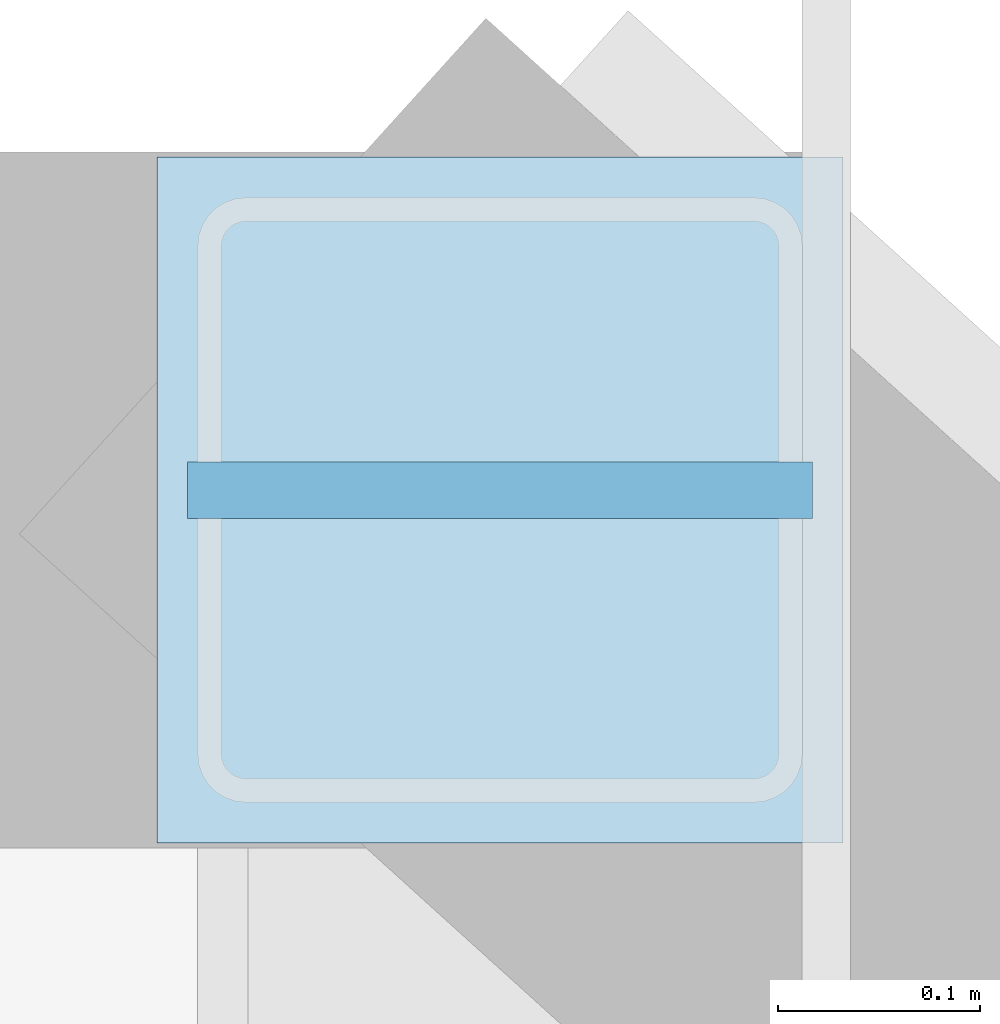
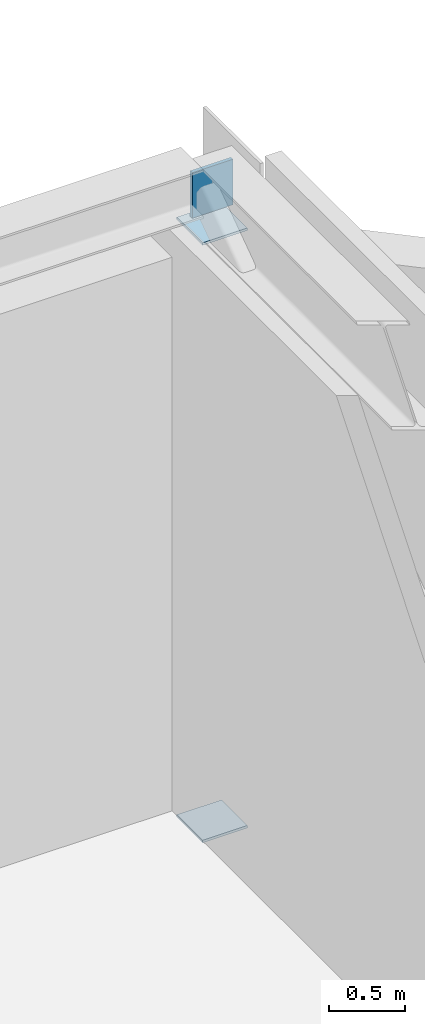
# One storey, part 104 of 135: 3 plates.
"""IFC4 building model written with IfcOpenShell, lengths in metres."""

import ifcopenshell
import ifcopenshell.guid

model = None  # the IFC model being written
_history = None  # IfcOwnerHistory: only IFC2X3 demands one
_inside = {}  # id of a spatial element -> (the spatial element, [elements in it])
_under = {}  # id of a project, library or spatial element -> (it, [spatial elements below it])
_declared = {}  # id of a project -> (the project, [libraries it declares])
_typed = {}  # id of a type object -> (the type object, [elements of that type])
_made_of = {}  # id of a material, layer set ... -> (it, [elements and type objects made of it])


def new_model(schema):
    """Start an empty IFC model of exactly this schema.

    Asked for "IFC4X3", IfcOpenShell would pick the latest addendum, in which some entities
    have other attributes; the version numbers below select the first issue.
    IFC2X3 requires an IfcOwnerHistory on every rooted entity: one is made here for all.
    """
    global model, _history
    if schema == "IFC4X3":
        model = ifcopenshell.file(schema_version=(4, 3, 0, 0))
    else:
        model = ifcopenshell.file(schema=schema)
    _inside.clear()
    _under.clear()
    _declared.clear()
    _typed.clear()
    _made_of.clear()
    _history = None
    if model.schema == "IFC2X3":
        org = make("IfcOrganization", Name="unknown")
        user = make(
            "IfcPersonAndOrganization",
            ThePerson=make("IfcPerson", FamilyName="unknown"),
            TheOrganization=org,
        )
        app = make(
            "IfcApplication",
            ApplicationDeveloper=org,
            Version="unknown",
            ApplicationFullName="unknown",
            ApplicationIdentifier="unknown",
        )
        _history = make(
            "IfcOwnerHistory",
            OwningUser=user,
            OwningApplication=app,
            ChangeAction="ADDED",
            CreationDate=0,
        )
    return model


def make(cls, **values):
    """One entity of the class cls with the attributes given. An attribute that is None is left unset."""
    return model.create_entity(
        cls, **{name: value for name, value in values.items() if value is not None}
    )


def rooted(cls, **values):
    """An entity with a GlobalId (a new one), such as an element, a storey or a relation."""
    return make(cls, GlobalId=ifcopenshell.guid.new(), OwnerHistory=_history, **values)


def si_unit(unit_type, name, prefix=None):
    """IfcSIUnit, for example si_unit("LENGTHUNIT", "METRE", prefix="MILLI")."""
    return make("IfcSIUnit", UnitType=unit_type, Prefix=prefix, Name=name)


def assignment(units):
    """IfcUnitAssignment: the units of a project."""
    return None if units is None else make("IfcUnitAssignment", Units=units)


def point(xyz):
    """IfcCartesianPoint."""
    return None if xyz is None else make("IfcCartesianPoint", Coordinates=xyz)


def direction(xyz):
    """IfcDirection."""
    return None if xyz is None else make("IfcDirection", DirectionRatios=xyz)


def frame(location, z_axis=None, x_axis=None):
    """IfcAxis2Placement3D, a coordinate frame: its origin and axes. An axis left out is left unset."""
    return make(
        "IfcAxis2Placement3D",
        Location=point(location),
        Axis=direction(z_axis),
        RefDirection=direction(x_axis),
    )


def frame_2d(location, x_axis=None):
    """IfcAxis2Placement2D, a coordinate frame in the plane: its origin and x axis."""
    return make(
        "IfcAxis2Placement2D", Location=point(location), RefDirection=direction(x_axis)
    )


def origin():
    """The frame at (0, 0, 0) with its axes left unset."""
    return frame((0.0, 0.0, 0.0))


def origin_2d():
    """The frame at (0, 0) in the plane with its x axis left unset."""
    return frame_2d((0.0, 0.0))


def place(relative_to, where):
    """IfcLocalPlacement: puts the frame where relative to a parent placement (None: the world)."""
    return make(
        "IfcLocalPlacement", PlacementRelTo=relative_to, RelativePlacement=where
    )


def context(
    kind, dimensions, precision=None, world=None, true_north=None, identifier=None
):
    """IfcGeometricRepresentationContext, for example the 3D "Model" context."""
    return make(
        "IfcGeometricRepresentationContext",
        ContextIdentifier=identifier,
        ContextType=kind,
        CoordinateSpaceDimension=dimensions,
        Precision=precision,
        WorldCoordinateSystem=world,
        TrueNorth=true_north,
    )


def subcontext(parent, identifier, kind, view, scale=None):
    """IfcGeometricRepresentationSubContext, for example "Body" below "Model"."""
    return make(
        "IfcGeometricRepresentationSubContext",
        ContextIdentifier=identifier,
        ContextType=kind,
        ParentContext=parent,
        TargetScale=scale,
        TargetView=view,
    )


def project(units=None, contexts=None):
    """IfcProject with its units and contexts."""
    return rooted(
        "IfcProject",
        Name="project",
        RepresentationContexts=contexts,
        UnitsInContext=assignment(units),
    )


def spatial(cls, under=None, at=None, **own):
    """A site, building, storey or space (cls), placed at a placement, below another one or the project."""
    s = rooted(cls, ObjectPlacement=at, **own)
    if under is not None:
        _under.setdefault(under.id(), (under, []))[1].append(s)
    return s


def profile(cls, at=None, kind="AREA", **sizes):
    """A parametric profile (cls). Its sizes go by their IFC names, for example OverallWidth=200.0."""
    return make(cls, ProfileType=kind, Position=at, **sizes)


def rectangle(**sizes):
    """IfcRectangleProfileDef."""
    return profile("IfcRectangleProfileDef", **sizes)


def extrude(swept, where, along, depth):
    """IfcExtrudedAreaSolid: the profile swept, set in the frame where, extruded along a direction by depth."""
    return make(
        "IfcExtrudedAreaSolid",
        SweptArea=swept,
        Position=where,
        ExtrudedDirection=direction(along),
        Depth=depth,
    )


def shape(context_of_items, identifier, shape_type, items):
    """IfcShapeRepresentation: the items that make up one representation, for example the "Body"."""
    return make(
        "IfcShapeRepresentation",
        ContextOfItems=context_of_items,
        RepresentationIdentifier=identifier,
        RepresentationType=shape_type,
        Items=items,
    )


def material(Name=None, Category=None):
    """IfcMaterial."""
    return make("IfcMaterial", Name=Name, Category=Category)


def layer(
    of_material, thickness, ventilated=None, Name=None, Category=None, Priority=None
):
    """IfcMaterialLayer: one layer of a wall or slab, of a material (None: an air gap)."""
    return make(
        "IfcMaterialLayer",
        Material=of_material,
        LayerThickness=thickness,
        IsVentilated=ventilated,
        Name=Name,
        Category=Category,
        Priority=Priority,
    )


def layer_set(layers, Name=None):
    """IfcMaterialLayerSet."""
    return make("IfcMaterialLayerSet", MaterialLayers=layers, LayerSetName=Name)


def made_of(thing, what):
    """Note that an element or type object is made of a material, layer set ...; save() writes the relation."""
    if what is not None:
        _made_of.setdefault(what.id(), (what, []))[1].append(thing)
    return thing


def type_object(cls, material=None, **own):
    """A type object (cls), such as IfcWallType, which elements share."""
    return made_of(rooted(cls, **own), material)


def element(
    cls,
    number,
    at=None,
    inside=None,
    cuts=None,
    type_object=None,
    material=None,
    context=None,
    identifier="Body",
    shape_type=None,
    held_by="IfcProductDefinitionShape",
    body=None,
    shapes=None,
    **own,
):
    """One element of the class cls, such as IfcWall. Its Tag is "e" and its number.

    at: its placement. inside: the storey or other place that contains it. cuts: it is an
    opening in that element (IfcRelVoidsElement). A single representation is given by context,
    identifier, shape_type and body (its items); several are given by shapes. held_by: the class
    of the entity that holds the representations. save() writes the other relations.
    """
    e = rooted(cls, Tag="e%d" % number, ObjectPlacement=at, **own)
    if body is not None:
        shapes = [shape(context, identifier, shape_type, body)]
    if shapes is not None:
        e.Representation = make(held_by, Representations=shapes)
    if inside is not None:
        _inside.setdefault(inside.id(), (inside, []))[1].append(e)
    if cuts is not None:
        rooted(
            "IfcRelVoidsElement", RelatingBuildingElement=cuts, RelatedOpeningElement=e
        )
    if type_object is not None:
        _typed.setdefault(type_object.id(), (type_object, []))[1].append(e)
    return made_of(e, material)


def aggregate(whole, parts):
    """IfcRelAggregates: a whole, such as a stair, and the parts it consists of."""
    return rooted("IfcRelAggregates", RelatingObject=whole, RelatedObjects=parts)


def save(model, path):
    """Write the relations noted so far, then the file.

    IfcRelAggregates (storeys below a building ...), IfcRelContainedInSpatialStructure (elements
    in a storey), IfcRelDefinesByType, IfcRelAssociatesMaterial and IfcRelDeclares: one each for
    every whole, place, type object, material and project.
    """
    for whole, parts in _under.values():
        aggregate(whole, parts)
    for where, things in _inside.values():
        rooted(
            "IfcRelContainedInSpatialStructure",
            RelatedElements=things,
            RelatingStructure=where,
        )
    for kind, things in _typed.values():
        rooted("IfcRelDefinesByType", RelatedObjects=things, RelatingType=kind)
    for what, things in _made_of.values():
        rooted("IfcRelAssociatesMaterial", RelatedObjects=things, RelatingMaterial=what)
    for by, libraries in _declared.values():
        rooted("IfcRelDeclares", RelatingContext=by, RelatedDefinitions=libraries)
    model.write(path)


model = new_model("IFC4")

# Units and contexts
model_context = context("Model", 3, precision=1e-05, world=origin(), true_north=direction((0.0, 1.0)))
body_context = subcontext(model_context, "Body", "Model", "MODEL_VIEW")
ifc_project = project(units=[si_unit("LENGTHUNIT", "METRE"), si_unit("AREAUNIT", "SQUARE_METRE"), si_unit("VOLUMEUNIT", "CUBIC_METRE"), si_unit("PLANEANGLEUNIT", "RADIAN"), si_unit("MASSUNIT", "GRAM", prefix="KILO")], contexts=[model_context])

# Site, building, storey
site_placement = place(None, origin())
site = spatial("IfcSite", under=ifc_project, at=site_placement, CompositionType="ELEMENT")
building_placement = place(site_placement, origin())
building = spatial("IfcBuilding", under=site, at=building_placement, Name="Larkvane Passage Sports Hall", CompositionType="ELEMENT")
storey_placement = place(building_placement, frame((0.0, 0.0, 16.800048828125)))
storey = spatial("IfcBuildingStorey", under=building, at=storey_placement, Name="L03", CompositionType="ELEMENT", Elevation=16.800048828125)

# Plates
ifc_material_1 = material(Name="Steel S355JR", Category="steel")
ifc_layer_1 = layer(ifc_material_1, 0.011962890625)
ifc_layer_set_1 = layer_set([ifc_layer_1], Name="Steel S355JR")
plate_type_1 = type_object("IfcPlateType", Name="PLT-CAP-12", PredefinedType="SHEET", material=ifc_layer_set_1)
plate_placement = place(storey_placement, frame((76.800048828125, 114.40478515625, 4.57666015625), z_axis=(0.0, 0.0, 1.0), x_axis=(-1.0, 0.0, 0.0)))
element("IfcPlate", 1, at=plate_placement, inside=storey, type_object=plate_type_1, Name="Hollow section sealed end cap plate 0155", PredefinedType="SHEET", context=body_context, shape_type="SweptSolid", body=[
    extrude(rectangle(XDim=0.31005859375, YDim=0.028076171875, at=origin_2d()), origin(), (0.0, 0.0, 1.0), 0.365966796875),
])
ifc_material_2 = material(Name="Steel S460N", Category="steel")
ifc_layer_2 = layer(ifc_material_2, 0.02001953125)
ifc_layer_set_2 = layer_set([ifc_layer_2], Name="Steel S460N")
plate_type_2 = type_object("IfcPlateType", Name="PLT-CAP-20", PredefinedType="SHEET", material=ifc_layer_set_2)
for number, where, z_axis, x_axis, name in (
    (2, (76.800048828125, 114.39990234375, -0.340087890625), (0.0, 0.0, 1.0), (1.0, 0.0, 0.0), "Hollow section sealed end cap plate 0156"),
    (3, (76.800048828125, 114.39990234375, 4.4619140625), (0.0, 0.0, 1.0), (1.0, 0.0, 0.0), "Hollow section sealed end cap plate 0157"),
):
    element("IfcPlate", number, at=place(storey_placement, frame(where, z_axis=z_axis, x_axis=x_axis)), inside=storey, type_object=plate_type_2, Name=name, PredefinedType="SHEET", context=body_context, shape_type="SweptSolid", body=[
        extrude(rectangle(XDim=0.340087890625, YDim=0.340087890625, at=origin_2d()), origin(), (0.0, 0.0, 1.0), 0.02001953125),
    ])

save(model, "model.ifc")
